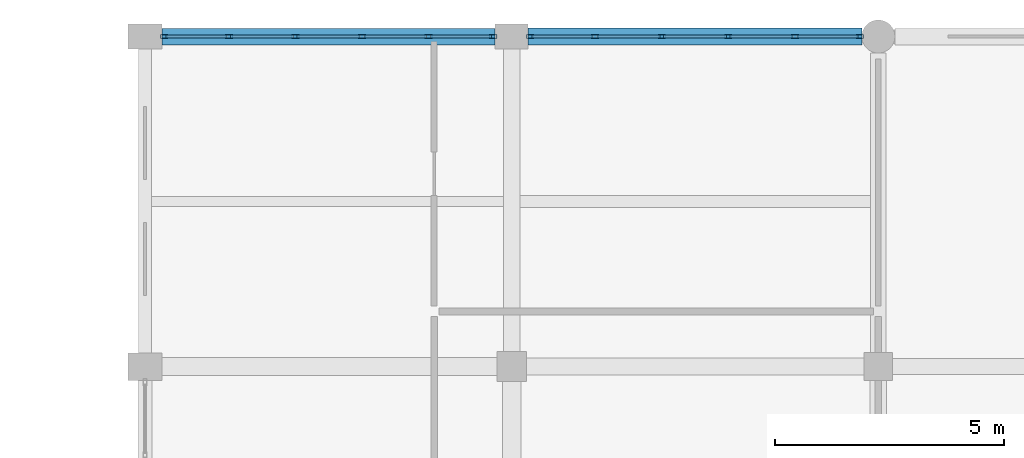
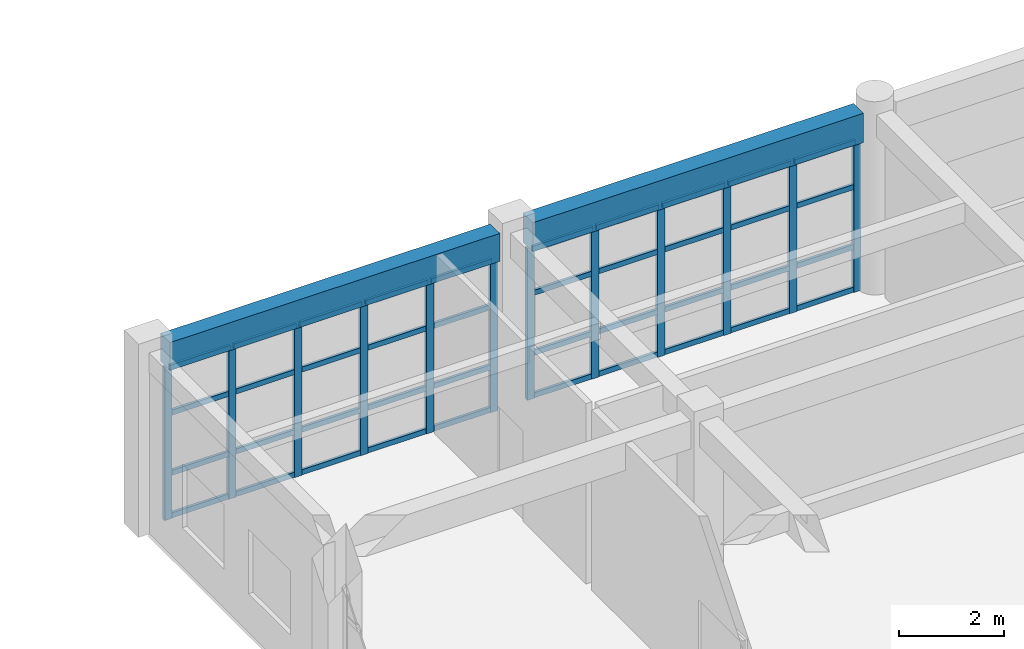
# One storey, part 77 of 160: 52 members, 2 beams, 2 elements without a shape of their own.
"""IFC4 building model written with IfcOpenShell, lengths in metres."""

from ifc_helpers import new_model, si_unit, direction, frame, origin, origin_2d, place, context, subcontext, project, spatial, rectangle, hollow_rectangle, extrude, material, material_profile, profile_set, type_object, element, aggregate, save


model = new_model("IFC4")

# Units and contexts
model_context = context("Model", 3, precision=1e-05, world=origin(), true_north=direction((0.0, 1.0)))
body_context = subcontext(model_context, "Body", "Model", "MODEL_VIEW")
ifc_project = project(units=[si_unit("LENGTHUNIT", "METRE"), si_unit("AREAUNIT", "SQUARE_METRE"), si_unit("VOLUMEUNIT", "CUBIC_METRE"), si_unit("PLANEANGLEUNIT", "RADIAN"), si_unit("MASSUNIT", "GRAM", prefix="KILO")], contexts=[model_context])

# Site, building, storey
site_placement = place(None, origin())
site = spatial("IfcSite", under=ifc_project, at=site_placement, CompositionType="ELEMENT")
building_placement = place(site_placement, origin())
building = spatial("IfcBuilding", under=site, at=building_placement, Name="Kharva Crest Polytechnic", CompositionType="ELEMENT")
storey_placement = place(building_placement, frame((0.0, 0.0, 4.5)))
storey = spatial("IfcBuildingStorey", under=building, at=storey_placement, Name="L01", CompositionType="ELEMENT", Elevation=4.5)

# Curtain wall, members
ifc_material_1 = material(Name="Tempered insulated glass", Category="glass")
curtain_wall_type = type_object("IfcCurtainWallType", Name="CW-SYS-COURT", PredefinedType="USERDEFINED", material=ifc_material_1)
curtain_wall_1_placement = place(storey_placement, origin())
curtain_wall_1 = element("IfcCurtainWall", 1, at=curtain_wall_1_placement, inside=storey, type_object=curtain_wall_type, Name="L01 Glazed Curtain Wall CW-076", ObjectType="CURTAIN WALL", PredefinedType="USERDEFINED")
ifc_material_2 = material(Name="Steel S355", Category="steel")
ifc_material_profile_1 = material_profile(ifc_material_2, hollow_rectangle(XDim=0.080078125, YDim=0.159912109375, WallThickness=0.0048828125, at=origin_2d()), Name="RHS 160X80X5.0")
ifc_profile_set_1 = profile_set([ifc_material_profile_1], Name="Steel S355")
member_type_1 = type_object("IfcMemberType", Name="CWM-RHS160X80", PredefinedType="MULLION", material=ifc_profile_set_1)
member_1_placement = place(storey_placement, frame((47.594970703125, 122.0, 0.0), z_axis=(0.0, 0.0, 1.0), x_axis=(0.0, -1.0, 0.0)))
member_1 = element("IfcMember", 2, at=member_1_placement, type_object=member_type_1, Name="CW-076 mullion 1", PredefinedType="MULLION", context=body_context, shape_type="SweptSolid", body=[
    extrude(hollow_rectangle(XDim=0.080078125, YDim=0.159912109375, WallThickness=0.0048828125, at=origin_2d()), origin(), (0.0, 0.0, 1.0), 3.5400390625),
])
member_2_placement = place(storey_placement, frame((46.180908203125, 122.0, 0.0), z_axis=(0.0, 0.0, 1.0), x_axis=(0.0, -1.0, 0.0)))
member_2 = element("IfcMember", 3, at=member_2_placement, type_object=member_type_1, Name="CW-076 mullion 2", PredefinedType="MULLION", context=body_context, shape_type="SweptSolid", body=[
    extrude(hollow_rectangle(XDim=0.080078125, YDim=0.159912109375, WallThickness=0.0048828125, at=origin_2d()), origin(), (0.0, 0.0, 1.0), 3.5400390625),
])
member_3_placement = place(storey_placement, frame((44.72705078125, 122.0, 0.0), z_axis=(0.0, 0.0, 1.0), x_axis=(0.0, -1.0, 0.0)))
member_3 = element("IfcMember", 4, at=member_3_placement, type_object=member_type_1, Name="CW-076 mullion 3", PredefinedType="MULLION", context=body_context, shape_type="SweptSolid", body=[
    extrude(hollow_rectangle(XDim=0.080078125, YDim=0.159912109375, WallThickness=0.0048828125, at=origin_2d()), origin(), (0.0, 0.0, 1.0), 3.5400390625),
])
member_4_placement = place(storey_placement, frame((43.27294921875, 122.0, 0.0), z_axis=(0.0, 0.0, 1.0), x_axis=(0.0, -1.0, 0.0)))
member_4 = element("IfcMember", 5, at=member_4_placement, type_object=member_type_1, Name="CW-076 mullion 4", PredefinedType="MULLION", context=body_context, shape_type="SweptSolid", body=[
    extrude(hollow_rectangle(XDim=0.080078125, YDim=0.159912109375, WallThickness=0.0048828125, at=origin_2d()), origin(), (0.0, 0.0, 1.0), 3.5400390625),
])
member_5_placement = place(storey_placement, frame((41.819091796875, 122.0, 0.0), z_axis=(0.0, 0.0, 1.0), x_axis=(0.0, -1.0, 0.0)))
member_5 = element("IfcMember", 6, at=member_5_placement, type_object=member_type_1, Name="CW-076 mullion 5", PredefinedType="MULLION", context=body_context, shape_type="SweptSolid", body=[
    extrude(hollow_rectangle(XDim=0.080078125, YDim=0.159912109375, WallThickness=0.0048828125, at=origin_2d()), origin(), (0.0, 0.0, 1.0), 3.5400390625),
])
member_6_placement = place(storey_placement, frame((40.405029296875, 122.0, 0.0), z_axis=(0.0, 0.0, 1.0), x_axis=(0.0, -1.0, 0.0)))
member_6 = element("IfcMember", 7, at=member_6_placement, type_object=member_type_1, Name="CW-076 mullion 6", PredefinedType="MULLION", context=body_context, shape_type="SweptSolid", body=[
    extrude(hollow_rectangle(XDim=0.080078125, YDim=0.159912109375, WallThickness=0.0048828125, at=origin_2d()), origin(), (0.0, 0.0, 1.0), 3.5400390625),
])

curtain_wall_2_placement = place(storey_placement, origin())
curtain_wall_2 = element("IfcCurtainWall", 8, at=curtain_wall_2_placement, inside=storey, type_object=curtain_wall_type, Name="L01 Glazed Curtain Wall CW-077", ObjectType="CURTAIN WALL", PredefinedType="USERDEFINED")
member_7_placement = place(storey_placement, frame((39.594970703125, 122.0, 0.0), z_axis=(0.0, 0.0, 1.0), x_axis=(0.0, -1.0, 0.0)))
member_7 = element("IfcMember", 9, at=member_7_placement, type_object=member_type_1, Name="CW-077 mullion 1", PredefinedType="MULLION", context=body_context, shape_type="SweptSolid", body=[
    extrude(hollow_rectangle(XDim=0.080078125, YDim=0.159912109375, WallThickness=0.0048828125, at=origin_2d()), origin(), (0.0, 0.0, 1.0), 3.570068359375),
])
member_8_placement = place(storey_placement, frame((38.18408203125, 122.0, 0.0), z_axis=(0.0, 0.0, 1.0), x_axis=(0.0, -1.0, 0.0)))
member_8 = element("IfcMember", 10, at=member_8_placement, type_object=member_type_1, Name="CW-077 mullion 2", PredefinedType="MULLION", context=body_context, shape_type="SweptSolid", body=[
    extrude(hollow_rectangle(XDim=0.080078125, YDim=0.159912109375, WallThickness=0.0048828125, at=origin_2d()), origin(), (0.0, 0.0, 1.0), 3.570068359375),
])
member_9_placement = place(storey_placement, frame((36.73291015625, 122.0, 0.0), z_axis=(0.0, 0.0, 1.0), x_axis=(0.0, -1.0, 0.0)))
member_9 = element("IfcMember", 11, at=member_9_placement, type_object=member_type_1, Name="CW-077 mullion 3", PredefinedType="MULLION", context=body_context, shape_type="SweptSolid", body=[
    extrude(hollow_rectangle(XDim=0.080078125, YDim=0.159912109375, WallThickness=0.0048828125, at=origin_2d()), origin(), (0.0, 0.0, 1.0), 3.570068359375),
])
member_10_placement = place(storey_placement, frame((35.281982421875, 122.0, 0.0), z_axis=(0.0, 0.0, 1.0), x_axis=(0.0, -1.0, 0.0)))
member_10 = element("IfcMember", 12, at=member_10_placement, type_object=member_type_1, Name="CW-077 mullion 4", PredefinedType="MULLION", context=body_context, shape_type="SweptSolid", body=[
    extrude(hollow_rectangle(XDim=0.080078125, YDim=0.159912109375, WallThickness=0.0048828125, at=origin_2d()), origin(), (0.0, 0.0, 1.0), 3.570068359375),
])
member_11_placement = place(storey_placement, frame((33.8310546875, 122.0, 0.0), z_axis=(0.0, 0.0, 1.0), x_axis=(0.0, -1.0, 0.0)))
member_11 = element("IfcMember", 13, at=member_11_placement, type_object=member_type_1, Name="CW-077 mullion 5", PredefinedType="MULLION", context=body_context, shape_type="SweptSolid", body=[
    extrude(hollow_rectangle(XDim=0.080078125, YDim=0.159912109375, WallThickness=0.0048828125, at=origin_2d()), origin(), (0.0, 0.0, 1.0), 3.570068359375),
])
member_12_placement = place(storey_placement, frame((32.419921875, 122.0, 0.0), z_axis=(0.0, 0.0, 1.0), x_axis=(0.0, -1.0, 0.0)))
member_12 = element("IfcMember", 14, at=member_12_placement, type_object=member_type_1, Name="CW-077 mullion 6", PredefinedType="MULLION", context=body_context, shape_type="SweptSolid", body=[
    extrude(hollow_rectangle(XDim=0.080078125, YDim=0.159912109375, WallThickness=0.0048828125, at=origin_2d()), origin(), (0.0, 0.0, 1.0), 3.570068359375),
])

# Member
ifc_material_profile_2 = material_profile(ifc_material_2, hollow_rectangle(XDim=0.06005859375, YDim=0.1201171875, WallThickness=0.00390625, at=origin_2d()), Name="RHS 120X60X4.0")
ifc_profile_set_2 = profile_set([ifc_material_profile_2], Name="Steel S355")
member_type_2 = type_object("IfcMemberType", Name="CWT-RHS120X60", PredefinedType="USERDEFINED", material=ifc_profile_set_2)
member_13_placement = place(storey_placement, frame((47.554931640625, 122.0, 0.06005859375), z_axis=(-1.0, 0.0, 0.0), x_axis=(0.0, -1.0, 0.0)))
member_13 = element("IfcMember", 15, at=member_13_placement, type_object=member_type_2, Name="CW-076 transom 1.1", ObjectType="TRANSOM", PredefinedType="USERDEFINED", context=body_context, shape_type="SweptSolid", body=[
    extrude(hollow_rectangle(XDim=0.06005859375, YDim=0.1201171875, WallThickness=0.00390625, at=origin_2d()), origin(), (0.0, 0.0, 1.0), 1.333984375),
])

member_14_placement = place(storey_placement, frame((47.554931640625, 122.0, 1.050048828125), z_axis=(-1.0, 0.0, 0.0), x_axis=(0.0, -1.0, 0.0)))
member_14 = element("IfcMember", 16, at=member_14_placement, type_object=member_type_2, Name="CW-076 transom 1.2", ObjectType="TRANSOM", PredefinedType="USERDEFINED", context=body_context, shape_type="SweptSolid", body=[
    extrude(hollow_rectangle(XDim=0.06005859375, YDim=0.1201171875, WallThickness=0.00390625, at=origin_2d()), origin(), (0.0, 0.0, 1.0), 1.333984375),
])

member_15_placement = place(storey_placement, frame((47.554931640625, 122.0, 2.449951171875), z_axis=(-1.0, 0.0, 0.0), x_axis=(0.0, -1.0, 0.0)))
member_15 = element("IfcMember", 17, at=member_15_placement, type_object=member_type_2, Name="CW-076 transom 1.3", ObjectType="TRANSOM", PredefinedType="USERDEFINED", context=body_context, shape_type="SweptSolid", body=[
    extrude(hollow_rectangle(XDim=0.06005859375, YDim=0.1201171875, WallThickness=0.00390625, at=origin_2d()), origin(), (0.0, 0.0, 1.0), 1.333984375),
])

member_16_placement = place(storey_placement, frame((47.554931640625, 122.0, 3.47998046875), z_axis=(-1.0, 0.0, 0.0), x_axis=(0.0, -1.0, 0.0)))
member_16 = element("IfcMember", 18, at=member_16_placement, type_object=member_type_2, Name="CW-076 transom 1.4", ObjectType="TRANSOM", PredefinedType="USERDEFINED", context=body_context, shape_type="SweptSolid", body=[
    extrude(hollow_rectangle(XDim=0.06005859375, YDim=0.1201171875, WallThickness=0.00390625, at=origin_2d()), origin(), (0.0, 0.0, 1.0), 1.333984375),
])

member_17_placement = place(storey_placement, frame((46.14111328125, 122.0, 0.06005859375), z_axis=(-1.0, 0.0, 0.0), x_axis=(0.0, -1.0, 0.0)))
member_17 = element("IfcMember", 19, at=member_17_placement, type_object=member_type_2, Name="CW-076 transom 2.1", ObjectType="TRANSOM", PredefinedType="USERDEFINED", context=body_context, shape_type="SweptSolid", body=[
    extrude(hollow_rectangle(XDim=0.06005859375, YDim=0.1201171875, WallThickness=0.00390625, at=origin_2d()), origin(), (0.0, 0.0, 1.0), 1.3740234375),
])

member_18_placement = place(storey_placement, frame((46.14111328125, 122.0, 1.050048828125), z_axis=(-1.0, 0.0, 0.0), x_axis=(0.0, -1.0, 0.0)))
member_18 = element("IfcMember", 20, at=member_18_placement, type_object=member_type_2, Name="CW-076 transom 2.2", ObjectType="TRANSOM", PredefinedType="USERDEFINED", context=body_context, shape_type="SweptSolid", body=[
    extrude(hollow_rectangle(XDim=0.06005859375, YDim=0.1201171875, WallThickness=0.00390625, at=origin_2d()), origin(), (0.0, 0.0, 1.0), 1.3740234375),
])

member_19_placement = place(storey_placement, frame((46.14111328125, 122.0, 2.449951171875), z_axis=(-1.0, 0.0, 0.0), x_axis=(0.0, -1.0, 0.0)))
member_19 = element("IfcMember", 21, at=member_19_placement, type_object=member_type_2, Name="CW-076 transom 2.3", ObjectType="TRANSOM", PredefinedType="USERDEFINED", context=body_context, shape_type="SweptSolid", body=[
    extrude(hollow_rectangle(XDim=0.06005859375, YDim=0.1201171875, WallThickness=0.00390625, at=origin_2d()), origin(), (0.0, 0.0, 1.0), 1.3740234375),
])

member_20_placement = place(storey_placement, frame((46.14111328125, 122.0, 3.47998046875), z_axis=(-1.0, 0.0, 0.0), x_axis=(0.0, -1.0, 0.0)))
member_20 = element("IfcMember", 22, at=member_20_placement, type_object=member_type_2, Name="CW-076 transom 2.4", ObjectType="TRANSOM", PredefinedType="USERDEFINED", context=body_context, shape_type="SweptSolid", body=[
    extrude(hollow_rectangle(XDim=0.06005859375, YDim=0.1201171875, WallThickness=0.00390625, at=origin_2d()), origin(), (0.0, 0.0, 1.0), 1.3740234375),
])

member_21_placement = place(storey_placement, frame((44.68701171875, 122.0, 0.06005859375), z_axis=(-1.0, 0.0, 0.0), x_axis=(0.0, -1.0, 0.0)))
member_21 = element("IfcMember", 23, at=member_21_placement, type_object=member_type_2, Name="CW-076 transom 3.1", ObjectType="TRANSOM", PredefinedType="USERDEFINED", context=body_context, shape_type="SweptSolid", body=[
    extrude(hollow_rectangle(XDim=0.06005859375, YDim=0.1201171875, WallThickness=0.00390625, at=origin_2d()), origin(), (0.0, 0.0, 1.0), 1.3740234375),
])

member_22_placement = place(storey_placement, frame((44.68701171875, 122.0, 1.050048828125), z_axis=(-1.0, 0.0, 0.0), x_axis=(0.0, -1.0, 0.0)))
member_22 = element("IfcMember", 24, at=member_22_placement, type_object=member_type_2, Name="CW-076 transom 3.2", ObjectType="TRANSOM", PredefinedType="USERDEFINED", context=body_context, shape_type="SweptSolid", body=[
    extrude(hollow_rectangle(XDim=0.06005859375, YDim=0.1201171875, WallThickness=0.00390625, at=origin_2d()), origin(), (0.0, 0.0, 1.0), 1.3740234375),
])

member_23_placement = place(storey_placement, frame((44.68701171875, 122.0, 2.449951171875), z_axis=(-1.0, 0.0, 0.0), x_axis=(0.0, -1.0, 0.0)))
member_23 = element("IfcMember", 25, at=member_23_placement, type_object=member_type_2, Name="CW-076 transom 3.3", ObjectType="TRANSOM", PredefinedType="USERDEFINED", context=body_context, shape_type="SweptSolid", body=[
    extrude(hollow_rectangle(XDim=0.06005859375, YDim=0.1201171875, WallThickness=0.00390625, at=origin_2d()), origin(), (0.0, 0.0, 1.0), 1.3740234375),
])

member_24_placement = place(storey_placement, frame((44.68701171875, 122.0, 3.47998046875), z_axis=(-1.0, 0.0, 0.0), x_axis=(0.0, -1.0, 0.0)))
member_24 = element("IfcMember", 26, at=member_24_placement, type_object=member_type_2, Name="CW-076 transom 3.4", ObjectType="TRANSOM", PredefinedType="USERDEFINED", context=body_context, shape_type="SweptSolid", body=[
    extrude(hollow_rectangle(XDim=0.06005859375, YDim=0.1201171875, WallThickness=0.00390625, at=origin_2d()), origin(), (0.0, 0.0, 1.0), 1.3740234375),
])

member_25_placement = place(storey_placement, frame((43.23291015625, 122.0, 0.06005859375), z_axis=(-1.0, 0.0, 0.0), x_axis=(0.0, -1.0, 0.0)))
member_25 = element("IfcMember", 27, at=member_25_placement, type_object=member_type_2, Name="CW-076 transom 4.1", ObjectType="TRANSOM", PredefinedType="USERDEFINED", context=body_context, shape_type="SweptSolid", body=[
    extrude(hollow_rectangle(XDim=0.06005859375, YDim=0.1201171875, WallThickness=0.00390625, at=origin_2d()), origin(), (0.0, 0.0, 1.0), 1.3740234375),
])

member_26_placement = place(storey_placement, frame((43.23291015625, 122.0, 1.050048828125), z_axis=(-1.0, 0.0, 0.0), x_axis=(0.0, -1.0, 0.0)))
member_26 = element("IfcMember", 28, at=member_26_placement, type_object=member_type_2, Name="CW-076 transom 4.2", ObjectType="TRANSOM", PredefinedType="USERDEFINED", context=body_context, shape_type="SweptSolid", body=[
    extrude(hollow_rectangle(XDim=0.06005859375, YDim=0.1201171875, WallThickness=0.00390625, at=origin_2d()), origin(), (0.0, 0.0, 1.0), 1.3740234375),
])

member_27_placement = place(storey_placement, frame((43.23291015625, 122.0, 2.449951171875), z_axis=(-1.0, 0.0, 0.0), x_axis=(0.0, -1.0, 0.0)))
member_27 = element("IfcMember", 29, at=member_27_placement, type_object=member_type_2, Name="CW-076 transom 4.3", ObjectType="TRANSOM", PredefinedType="USERDEFINED", context=body_context, shape_type="SweptSolid", body=[
    extrude(hollow_rectangle(XDim=0.06005859375, YDim=0.1201171875, WallThickness=0.00390625, at=origin_2d()), origin(), (0.0, 0.0, 1.0), 1.3740234375),
])

member_28_placement = place(storey_placement, frame((43.23291015625, 122.0, 3.47998046875), z_axis=(-1.0, 0.0, 0.0), x_axis=(0.0, -1.0, 0.0)))
member_28 = element("IfcMember", 30, at=member_28_placement, type_object=member_type_2, Name="CW-076 transom 4.4", ObjectType="TRANSOM", PredefinedType="USERDEFINED", context=body_context, shape_type="SweptSolid", body=[
    extrude(hollow_rectangle(XDim=0.06005859375, YDim=0.1201171875, WallThickness=0.00390625, at=origin_2d()), origin(), (0.0, 0.0, 1.0), 1.3740234375),
])

member_29_placement = place(storey_placement, frame((41.779052734375, 122.0, 0.06005859375), z_axis=(-1.0, 0.0, 0.0), x_axis=(0.0, -1.0, 0.0)))
member_29 = element("IfcMember", 31, at=member_29_placement, type_object=member_type_2, Name="CW-076 transom 5.1", ObjectType="TRANSOM", PredefinedType="USERDEFINED", context=body_context, shape_type="SweptSolid", body=[
    extrude(hollow_rectangle(XDim=0.06005859375, YDim=0.1201171875, WallThickness=0.00390625, at=origin_2d()), origin(), (0.0, 0.0, 1.0), 1.333984375),
])

member_30_placement = place(storey_placement, frame((41.779052734375, 122.0, 1.050048828125), z_axis=(-1.0, 0.0, 0.0), x_axis=(0.0, -1.0, 0.0)))
member_30 = element("IfcMember", 32, at=member_30_placement, type_object=member_type_2, Name="CW-076 transom 5.2", ObjectType="TRANSOM", PredefinedType="USERDEFINED", context=body_context, shape_type="SweptSolid", body=[
    extrude(hollow_rectangle(XDim=0.06005859375, YDim=0.1201171875, WallThickness=0.00390625, at=origin_2d()), origin(), (0.0, 0.0, 1.0), 1.333984375),
])

member_31_placement = place(storey_placement, frame((41.779052734375, 122.0, 2.449951171875), z_axis=(-1.0, 0.0, 0.0), x_axis=(0.0, -1.0, 0.0)))
member_31 = element("IfcMember", 33, at=member_31_placement, type_object=member_type_2, Name="CW-076 transom 5.3", ObjectType="TRANSOM", PredefinedType="USERDEFINED", context=body_context, shape_type="SweptSolid", body=[
    extrude(hollow_rectangle(XDim=0.06005859375, YDim=0.1201171875, WallThickness=0.00390625, at=origin_2d()), origin(), (0.0, 0.0, 1.0), 1.333984375),
])

member_32_placement = place(storey_placement, frame((41.779052734375, 122.0, 3.47998046875), z_axis=(-1.0, 0.0, 0.0), x_axis=(0.0, -1.0, 0.0)))
member_32 = element("IfcMember", 34, at=member_32_placement, type_object=member_type_2, Name="CW-076 transom 5.4", ObjectType="TRANSOM", PredefinedType="USERDEFINED", context=body_context, shape_type="SweptSolid", body=[
    extrude(hollow_rectangle(XDim=0.06005859375, YDim=0.1201171875, WallThickness=0.00390625, at=origin_2d()), origin(), (0.0, 0.0, 1.0), 1.333984375),
])

aggregate(curtain_wall_1, [member_1, member_2, member_3, member_4, member_5, member_6, member_13, member_14, member_15, member_16, member_17, member_18, member_19, member_20, member_21, member_22, member_23, member_24, member_25, member_26, member_27, member_28, member_29, member_30, member_31, member_32])

member_33_placement = place(storey_placement, frame((39.554931640625, 122.0, 0.06005859375), z_axis=(-1.0, 0.0, 0.0), x_axis=(0.0, -1.0, 0.0)))
member_33 = element("IfcMember", 35, at=member_33_placement, type_object=member_type_2, Name="CW-077 transom 1.1", ObjectType="TRANSOM", PredefinedType="USERDEFINED", context=body_context, shape_type="SweptSolid", body=[
    extrude(hollow_rectangle(XDim=0.06005859375, YDim=0.1201171875, WallThickness=0.00390625, at=origin_2d()), origin(), (0.0, 0.0, 1.0), 1.330810546875),
])

member_34_placement = place(storey_placement, frame((39.554931640625, 122.0, 1.050048828125), z_axis=(-1.0, 0.0, 0.0), x_axis=(0.0, -1.0, 0.0)))
member_34 = element("IfcMember", 36, at=member_34_placement, type_object=member_type_2, Name="CW-077 transom 1.2", ObjectType="TRANSOM", PredefinedType="USERDEFINED", context=body_context, shape_type="SweptSolid", body=[
    extrude(hollow_rectangle(XDim=0.06005859375, YDim=0.1201171875, WallThickness=0.00390625, at=origin_2d()), origin(), (0.0, 0.0, 1.0), 1.330810546875),
])

member_35_placement = place(storey_placement, frame((39.554931640625, 122.0, 2.449951171875), z_axis=(-1.0, 0.0, 0.0), x_axis=(0.0, -1.0, 0.0)))
member_35 = element("IfcMember", 37, at=member_35_placement, type_object=member_type_2, Name="CW-077 transom 1.3", ObjectType="TRANSOM", PredefinedType="USERDEFINED", context=body_context, shape_type="SweptSolid", body=[
    extrude(hollow_rectangle(XDim=0.06005859375, YDim=0.1201171875, WallThickness=0.00390625, at=origin_2d()), origin(), (0.0, 0.0, 1.0), 1.330810546875),
])

member_36_placement = place(storey_placement, frame((39.554931640625, 122.0, 3.510009765625), z_axis=(-1.0, 0.0, 0.0), x_axis=(0.0, -1.0, 0.0)))
member_36 = element("IfcMember", 38, at=member_36_placement, type_object=member_type_2, Name="CW-077 transom 1.4", ObjectType="TRANSOM", PredefinedType="USERDEFINED", context=body_context, shape_type="SweptSolid", body=[
    extrude(hollow_rectangle(XDim=0.06005859375, YDim=0.1201171875, WallThickness=0.00390625, at=origin_2d()), origin(), (0.0, 0.0, 1.0), 1.330810546875),
])

member_37_placement = place(storey_placement, frame((38.14404296875, 122.0, 0.06005859375), z_axis=(-1.0, 0.0, 0.0), x_axis=(0.0, -1.0, 0.0)))
member_37 = element("IfcMember", 39, at=member_37_placement, type_object=member_type_2, Name="CW-077 transom 2.1", ObjectType="TRANSOM", PredefinedType="USERDEFINED", context=body_context, shape_type="SweptSolid", body=[
    extrude(hollow_rectangle(XDim=0.06005859375, YDim=0.1201171875, WallThickness=0.00390625, at=origin_2d()), origin(), (0.0, 0.0, 1.0), 1.37109375),
])

member_38_placement = place(storey_placement, frame((38.14404296875, 122.0, 1.050048828125), z_axis=(-1.0, 0.0, 0.0), x_axis=(0.0, -1.0, 0.0)))
member_38 = element("IfcMember", 40, at=member_38_placement, type_object=member_type_2, Name="CW-077 transom 2.2", ObjectType="TRANSOM", PredefinedType="USERDEFINED", context=body_context, shape_type="SweptSolid", body=[
    extrude(hollow_rectangle(XDim=0.06005859375, YDim=0.1201171875, WallThickness=0.00390625, at=origin_2d()), origin(), (0.0, 0.0, 1.0), 1.37109375),
])

member_39_placement = place(storey_placement, frame((38.14404296875, 122.0, 2.449951171875), z_axis=(-1.0, 0.0, 0.0), x_axis=(0.0, -1.0, 0.0)))
member_39 = element("IfcMember", 41, at=member_39_placement, type_object=member_type_2, Name="CW-077 transom 2.3", ObjectType="TRANSOM", PredefinedType="USERDEFINED", context=body_context, shape_type="SweptSolid", body=[
    extrude(hollow_rectangle(XDim=0.06005859375, YDim=0.1201171875, WallThickness=0.00390625, at=origin_2d()), origin(), (0.0, 0.0, 1.0), 1.37109375),
])

member_40_placement = place(storey_placement, frame((38.14404296875, 122.0, 3.510009765625), z_axis=(-1.0, 0.0, 0.0), x_axis=(0.0, -1.0, 0.0)))
member_40 = element("IfcMember", 42, at=member_40_placement, type_object=member_type_2, Name="CW-077 transom 2.4", ObjectType="TRANSOM", PredefinedType="USERDEFINED", context=body_context, shape_type="SweptSolid", body=[
    extrude(hollow_rectangle(XDim=0.06005859375, YDim=0.1201171875, WallThickness=0.00390625, at=origin_2d()), origin(), (0.0, 0.0, 1.0), 1.37109375),
])

member_41_placement = place(storey_placement, frame((36.693115234375, 122.0, 0.06005859375), z_axis=(-1.0, 0.0, 0.0), x_axis=(0.0, -1.0, 0.0)))
member_41 = element("IfcMember", 43, at=member_41_placement, type_object=member_type_2, Name="CW-077 transom 3.1", ObjectType="TRANSOM", PredefinedType="USERDEFINED", context=body_context, shape_type="SweptSolid", body=[
    extrude(hollow_rectangle(XDim=0.06005859375, YDim=0.1201171875, WallThickness=0.00390625, at=origin_2d()), origin(), (0.0, 0.0, 1.0), 1.37109375),
])

member_42_placement = place(storey_placement, frame((36.693115234375, 122.0, 1.050048828125), z_axis=(-1.0, 0.0, 0.0), x_axis=(0.0, -1.0, 0.0)))
member_42 = element("IfcMember", 44, at=member_42_placement, type_object=member_type_2, Name="CW-077 transom 3.2", ObjectType="TRANSOM", PredefinedType="USERDEFINED", context=body_context, shape_type="SweptSolid", body=[
    extrude(hollow_rectangle(XDim=0.06005859375, YDim=0.1201171875, WallThickness=0.00390625, at=origin_2d()), origin(), (0.0, 0.0, 1.0), 1.37109375),
])

member_43_placement = place(storey_placement, frame((36.693115234375, 122.0, 2.449951171875), z_axis=(-1.0, 0.0, 0.0), x_axis=(0.0, -1.0, 0.0)))
member_43 = element("IfcMember", 45, at=member_43_placement, type_object=member_type_2, Name="CW-077 transom 3.3", ObjectType="TRANSOM", PredefinedType="USERDEFINED", context=body_context, shape_type="SweptSolid", body=[
    extrude(hollow_rectangle(XDim=0.06005859375, YDim=0.1201171875, WallThickness=0.00390625, at=origin_2d()), origin(), (0.0, 0.0, 1.0), 1.37109375),
])

member_44_placement = place(storey_placement, frame((36.693115234375, 122.0, 3.510009765625), z_axis=(-1.0, 0.0, 0.0), x_axis=(0.0, -1.0, 0.0)))
member_44 = element("IfcMember", 46, at=member_44_placement, type_object=member_type_2, Name="CW-077 transom 3.4", ObjectType="TRANSOM", PredefinedType="USERDEFINED", context=body_context, shape_type="SweptSolid", body=[
    extrude(hollow_rectangle(XDim=0.06005859375, YDim=0.1201171875, WallThickness=0.00390625, at=origin_2d()), origin(), (0.0, 0.0, 1.0), 1.37109375),
])

member_45_placement = place(storey_placement, frame((35.241943359375, 122.0, 0.06005859375), z_axis=(-1.0, 0.0, 0.0), x_axis=(0.0, -1.0, 0.0)))
member_45 = element("IfcMember", 47, at=member_45_placement, type_object=member_type_2, Name="CW-077 transom 4.1", ObjectType="TRANSOM", PredefinedType="USERDEFINED", context=body_context, shape_type="SweptSolid", body=[
    extrude(hollow_rectangle(XDim=0.06005859375, YDim=0.1201171875, WallThickness=0.00390625, at=origin_2d()), origin(), (0.0, 0.0, 1.0), 1.370849609375),
])

member_46_placement = place(storey_placement, frame((35.241943359375, 122.0, 1.050048828125), z_axis=(-1.0, 0.0, 0.0), x_axis=(0.0, -1.0, 0.0)))
member_46 = element("IfcMember", 48, at=member_46_placement, type_object=member_type_2, Name="CW-077 transom 4.2", ObjectType="TRANSOM", PredefinedType="USERDEFINED", context=body_context, shape_type="SweptSolid", body=[
    extrude(hollow_rectangle(XDim=0.06005859375, YDim=0.1201171875, WallThickness=0.00390625, at=origin_2d()), origin(), (0.0, 0.0, 1.0), 1.370849609375),
])

member_47_placement = place(storey_placement, frame((35.241943359375, 122.0, 2.449951171875), z_axis=(-1.0, 0.0, 0.0), x_axis=(0.0, -1.0, 0.0)))
member_47 = element("IfcMember", 49, at=member_47_placement, type_object=member_type_2, Name="CW-077 transom 4.3", ObjectType="TRANSOM", PredefinedType="USERDEFINED", context=body_context, shape_type="SweptSolid", body=[
    extrude(hollow_rectangle(XDim=0.06005859375, YDim=0.1201171875, WallThickness=0.00390625, at=origin_2d()), origin(), (0.0, 0.0, 1.0), 1.370849609375),
])

member_48_placement = place(storey_placement, frame((35.241943359375, 122.0, 3.510009765625), z_axis=(-1.0, 0.0, 0.0), x_axis=(0.0, -1.0, 0.0)))
member_48 = element("IfcMember", 50, at=member_48_placement, type_object=member_type_2, Name="CW-077 transom 4.4", ObjectType="TRANSOM", PredefinedType="USERDEFINED", context=body_context, shape_type="SweptSolid", body=[
    extrude(hollow_rectangle(XDim=0.06005859375, YDim=0.1201171875, WallThickness=0.00390625, at=origin_2d()), origin(), (0.0, 0.0, 1.0), 1.370849609375),
])

member_49_placement = place(storey_placement, frame((33.791015625, 122.0, 0.06005859375), z_axis=(-1.0, 0.0, 0.0), x_axis=(0.0, -1.0, 0.0)))
member_49 = element("IfcMember", 51, at=member_49_placement, type_object=member_type_2, Name="CW-077 transom 5.1", ObjectType="TRANSOM", PredefinedType="USERDEFINED", context=body_context, shape_type="SweptSolid", body=[
    extrude(hollow_rectangle(XDim=0.06005859375, YDim=0.1201171875, WallThickness=0.00390625, at=origin_2d()), origin(), (0.0, 0.0, 1.0), 1.3310546875),
])

member_50_placement = place(storey_placement, frame((33.791015625, 122.0, 1.050048828125), z_axis=(-1.0, 0.0, 0.0), x_axis=(0.0, -1.0, 0.0)))
member_50 = element("IfcMember", 52, at=member_50_placement, type_object=member_type_2, Name="CW-077 transom 5.2", ObjectType="TRANSOM", PredefinedType="USERDEFINED", context=body_context, shape_type="SweptSolid", body=[
    extrude(hollow_rectangle(XDim=0.06005859375, YDim=0.1201171875, WallThickness=0.00390625, at=origin_2d()), origin(), (0.0, 0.0, 1.0), 1.3310546875),
])

member_51_placement = place(storey_placement, frame((33.791015625, 122.0, 2.449951171875), z_axis=(-1.0, 0.0, 0.0), x_axis=(0.0, -1.0, 0.0)))
member_51 = element("IfcMember", 53, at=member_51_placement, type_object=member_type_2, Name="CW-077 transom 5.3", ObjectType="TRANSOM", PredefinedType="USERDEFINED", context=body_context, shape_type="SweptSolid", body=[
    extrude(hollow_rectangle(XDim=0.06005859375, YDim=0.1201171875, WallThickness=0.00390625, at=origin_2d()), origin(), (0.0, 0.0, 1.0), 1.3310546875),
])

member_52_placement = place(storey_placement, frame((33.791015625, 122.0, 3.510009765625), z_axis=(-1.0, 0.0, 0.0), x_axis=(0.0, -1.0, 0.0)))
member_52 = element("IfcMember", 54, at=member_52_placement, type_object=member_type_2, Name="CW-077 transom 5.4", ObjectType="TRANSOM", PredefinedType="USERDEFINED", context=body_context, shape_type="SweptSolid", body=[
    extrude(hollow_rectangle(XDim=0.06005859375, YDim=0.1201171875, WallThickness=0.00390625, at=origin_2d()), origin(), (0.0, 0.0, 1.0), 1.3310546875),
])

aggregate(curtain_wall_2, [member_7, member_8, member_9, member_10, member_11, member_12, member_33, member_34, member_35, member_36, member_37, member_38, member_39, member_40, member_41, member_42, member_43, member_44, member_45, member_46, member_47, member_48, member_49, member_50, member_51, member_52])

# Beams
ifc_material_3 = material(Name="Concrete C35/45", Category="concrete")
ifc_material_profile_3 = material_profile(ifc_material_3, rectangle(XDim=0.360107421875, YDim=0.64990234375, at=origin_2d()), Name="RECT 360 X 650")
ifc_profile_set_3 = profile_set([ifc_material_profile_3], Name="Concrete C35/45")
beam_type_1 = type_object("IfcBeamType", Name="SP-RC-360X650", PredefinedType="SPANDREL", material=ifc_profile_set_3)
beam_1_placement = place(storey_placement, frame((32.375, 122.0, 3.89501953125), z_axis=(1.0, 0.0, 0.0), x_axis=(0.0, 1.0, 0.0)))
element("IfcBeam", 55, at=beam_1_placement, inside=storey, type_object=beam_type_1, Name="L01 Beam S/5-6", PredefinedType="SPANDREL", context=body_context, shape_type="SweptSolid", body=[
    extrude(rectangle(XDim=0.360107421875, YDim=0.64990234375, at=origin_2d()), origin(), (0.0, 0.0, 1.0), 7.264892578125),
])
ifc_material_profile_4 = material_profile(ifc_material_3, rectangle(XDim=0.3798828125, YDim=0.679931640625, at=origin_2d()), Name="RECT 380 X 680")
ifc_profile_set_4 = profile_set([ifc_material_profile_4], Name="Concrete C35/45")
beam_type_2 = type_object("IfcBeamType", Name="SP-RC-380X680", PredefinedType="SPANDREL", material=ifc_profile_set_4)
beam_2_placement = place(storey_placement, frame((40.360107421875, 122.0, 3.8798828125), z_axis=(1.0, 0.0, 0.0), x_axis=(0.0, 1.0, 0.0)))
element("IfcBeam", 56, at=beam_2_placement, inside=storey, type_object=beam_type_2, Name="L01 Beam S/6-7", PredefinedType="SPANDREL", context=body_context, shape_type="SweptSolid", body=[
    extrude(rectangle(XDim=0.3798828125, YDim=0.679931640625, at=origin_2d()), origin(), (0.0, 0.0, 1.0), 7.27978515625),
])

save(model, "model.ifc")
